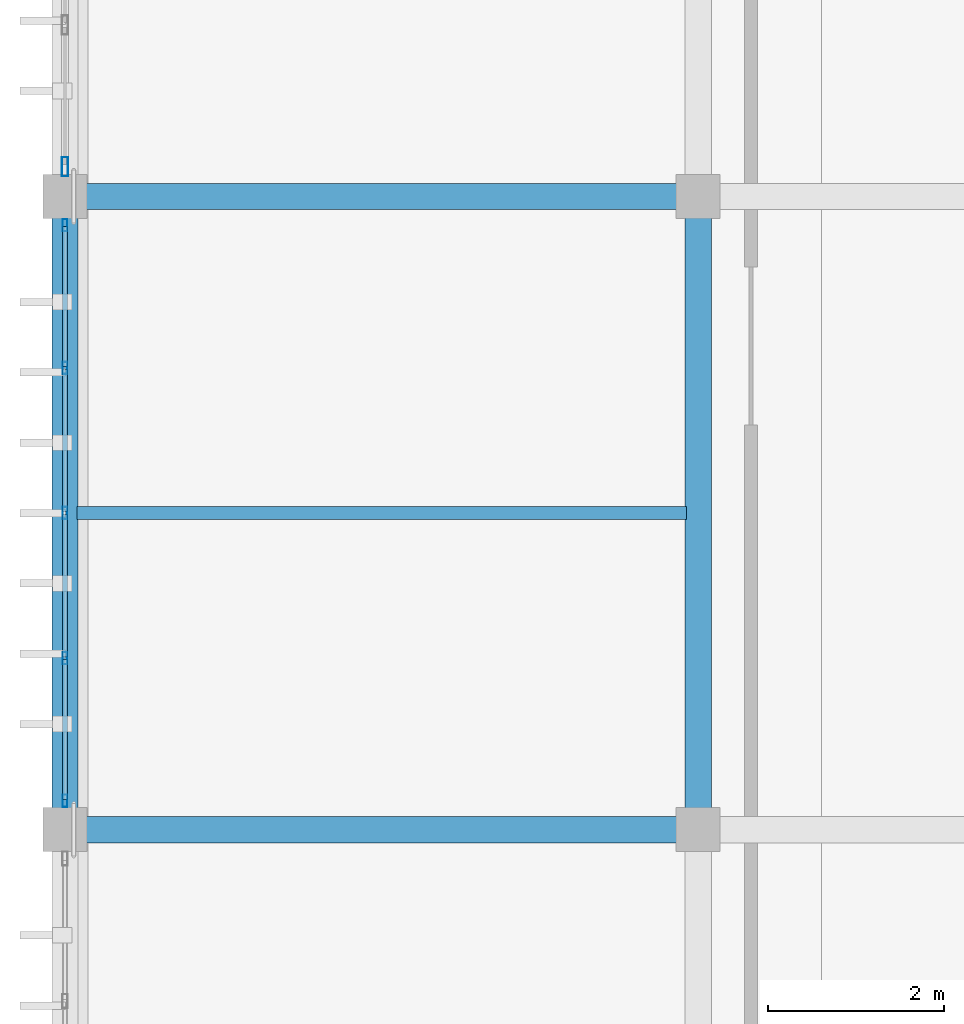
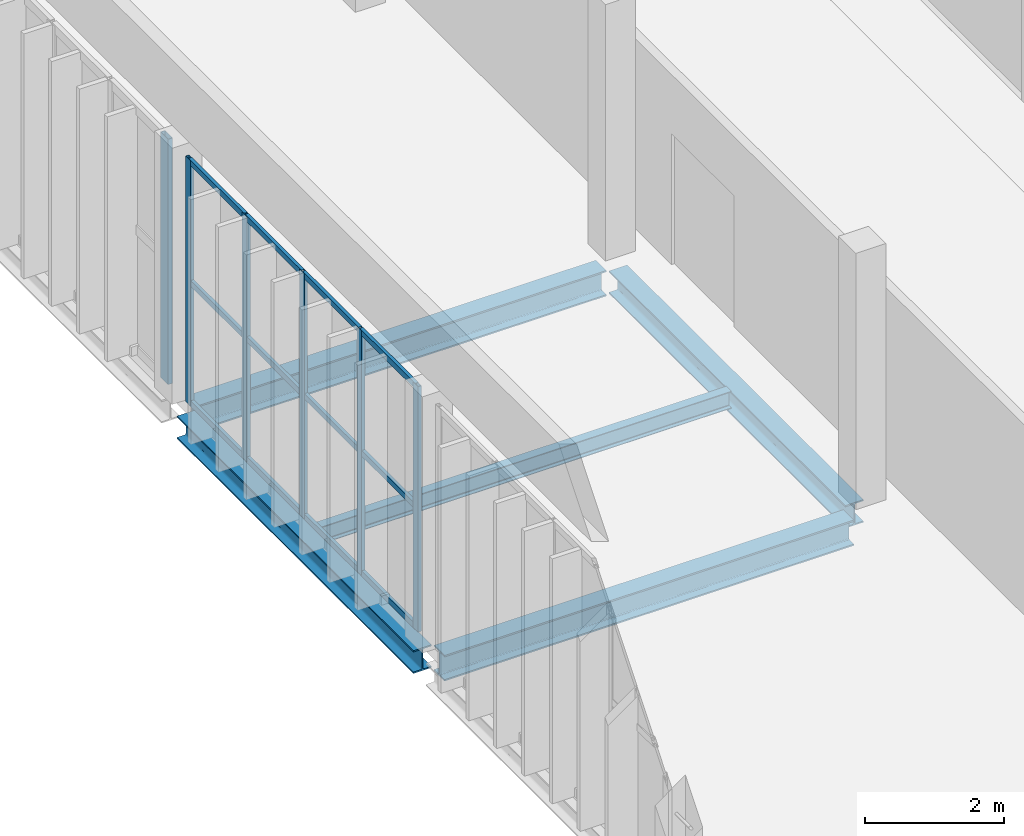
# One storey, part 19 of 64: 18 members, 5 beams, 2 elements without a shape of their own.
"""IFC4 building model written with IfcOpenShell, lengths in metres."""

from ifc_helpers import new_model, si_unit, direction, frame, origin, origin_2d, place, context, subcontext, project, spatial, hollow_rectangle, i_section, extrude, material, material_profile, profile_set, type_object, element, aggregate, save


model = new_model("IFC4")

# Units and contexts
model_context = context("Model", 3, precision=1e-05, world=origin(), true_north=direction((0.0, 1.0)))
body_context = subcontext(model_context, "Body", "Model", "MODEL_VIEW")
ifc_project = project(units=[si_unit("LENGTHUNIT", "METRE"), si_unit("AREAUNIT", "SQUARE_METRE"), si_unit("VOLUMEUNIT", "CUBIC_METRE"), si_unit("PLANEANGLEUNIT", "RADIAN"), si_unit("MASSUNIT", "GRAM", prefix="KILO")], contexts=[model_context])

# Site, building, storey
site_placement = place(None, origin())
site = spatial("IfcSite", under=ifc_project, at=site_placement, CompositionType="ELEMENT")
building_placement = place(site_placement, origin())
building = spatial("IfcBuilding", under=site, at=building_placement, Name="Qandorah Velis Arena", CompositionType="ELEMENT")
storey_placement = place(building_placement, frame((0.0, 0.0, 23.0)))
storey = spatial("IfcBuildingStorey", under=building, at=storey_placement, Name="L05", CompositionType="ELEMENT", Elevation=23.0)

# Curtain wall, members
ifc_material_1 = material(Name="Solar-control low-E double glazing", Category="glass")
curtain_wall_type_1 = type_object("IfcCurtainWallType", Name="ARC-CW-SYS24", PredefinedType="USERDEFINED", material=ifc_material_1)
curtain_wall_1_placement = place(storey_placement, origin())
curtain_wall_1 = element("IfcCurtainWall", 1, at=curtain_wall_1_placement, inside=storey, type_object=curtain_wall_type_1, Name="Unitised curtain wall L05-048", ObjectType="UNITISED CURTAIN WALL", PredefinedType="USERDEFINED")
ifc_material_2 = material(Name="Champagne-bronze anodized aluminium 6063-T6", Category="aluminium")
ifc_material_profile_1 = material_profile(ifc_material_2, hollow_rectangle(XDim=0.054931640625, YDim=0.139892578125, WallThickness=0.0029296875, at=origin_2d()), Name="ALU MULLION 55x140")
ifc_profile_set_1 = profile_set([ifc_material_profile_1], Name="Champagne-bronze anodized aluminium 6063-T6")
member_type_1 = type_object("IfcMemberType", Name="ARC-CWM-140", PredefinedType="MULLION", material=ifc_profile_set_1)
member_1_placement = place(storey_placement, frame((0.0, 72.327392578125, -0.014892578125), z_axis=(0.0, 0.0, 1.0), x_axis=(-1.0, 0.0, 0.0)))
member_1 = element("IfcMember", 2, at=member_1_placement, type_object=member_type_1, Name="CW24 mullion 1", PredefinedType="MULLION", context=body_context, shape_type="SweptSolid", body=[
    extrude(hollow_rectangle(XDim=0.054931640625, YDim=0.139892578125, WallThickness=0.0029296875, at=origin_2d()), origin(), (0.0, 0.0, 1.0), 4.309814453125),
])
member_2_placement = place(storey_placement, frame((0.0, 73.949951171875, -0.014892578125), z_axis=(0.0, 0.0, 1.0), x_axis=(-1.0, 0.0, 0.0)))
member_2 = element("IfcMember", 3, at=member_2_placement, type_object=member_type_1, Name="CW24 mullion 2", PredefinedType="MULLION", context=body_context, shape_type="SweptSolid", body=[
    extrude(hollow_rectangle(XDim=0.054931640625, YDim=0.139892578125, WallThickness=0.0029296875, at=origin_2d()), origin(), (0.0, 0.0, 1.0), 4.309814453125),
])
member_3_placement = place(storey_placement, frame((0.0, 75.60009765625, -0.014892578125), z_axis=(0.0, 0.0, 1.0), x_axis=(-1.0, 0.0, 0.0)))
member_3 = element("IfcMember", 4, at=member_3_placement, type_object=member_type_1, Name="CW24 mullion 3", PredefinedType="MULLION", context=body_context, shape_type="SweptSolid", body=[
    extrude(hollow_rectangle(XDim=0.054931640625, YDim=0.139892578125, WallThickness=0.0029296875, at=origin_2d()), origin(), (0.0, 0.0, 1.0), 4.309814453125),
])
member_4_placement = place(storey_placement, frame((0.0, 77.25, -0.014892578125), z_axis=(0.0, 0.0, 1.0), x_axis=(-1.0, 0.0, 0.0)))
member_4 = element("IfcMember", 5, at=member_4_placement, type_object=member_type_1, Name="CW24 mullion 4", PredefinedType="MULLION", context=body_context, shape_type="SweptSolid", body=[
    extrude(hollow_rectangle(XDim=0.054931640625, YDim=0.139892578125, WallThickness=0.0029296875, at=origin_2d()), origin(), (0.0, 0.0, 1.0), 4.309814453125),
])
member_5_placement = place(storey_placement, frame((0.0, 78.87255859375, -0.014892578125), z_axis=(0.0, 0.0, 1.0), x_axis=(-1.0, 0.0, 0.0)))
member_5 = element("IfcMember", 6, at=member_5_placement, type_object=member_type_1, Name="CW24 mullion 5", PredefinedType="MULLION", context=body_context, shape_type="SweptSolid", body=[
    extrude(hollow_rectangle(XDim=0.054931640625, YDim=0.139892578125, WallThickness=0.0029296875, at=origin_2d()), origin(), (0.0, 0.0, 1.0), 4.309814453125),
])

# Curtain wall, member
curtain_wall_type_2 = type_object("IfcCurtainWallType", Name="ARC-CW-SYS01", PredefinedType="USERDEFINED", material=ifc_material_1)
curtain_wall_2_placement = place(storey_placement, origin())
curtain_wall_2 = element("IfcCurtainWall", 7, at=curtain_wall_2_placement, inside=storey, type_object=curtain_wall_type_2, Name="Unitised curtain wall L05-049", ObjectType="UNITISED CURTAIN WALL", PredefinedType="USERDEFINED")
ifc_material_profile_2 = material_profile(ifc_material_2, hollow_rectangle(XDim=0.074951171875, YDim=0.219970703125, WallThickness=0.00390625, at=origin_2d()), Name="ALU MULLION 75x220")
ifc_profile_set_2 = profile_set([ifc_material_profile_2], Name="Champagne-bronze anodized aluminium 6063-T6")
member_type_2 = type_object("IfcMemberType", Name="ARC-CWM-220", PredefinedType="MULLION", material=ifc_profile_set_2)
member_6_placement = place(storey_placement, frame((0.0, 79.53759765625, -0.014892578125), z_axis=(0.0, 0.0, 1.0), x_axis=(-1.0, 0.0, 0.0)))
member_6 = element("IfcMember", 8, at=member_6_placement, type_object=member_type_2, Name="CW01 mullion 1", PredefinedType="MULLION", context=body_context, shape_type="SweptSolid", body=[
    extrude(hollow_rectangle(XDim=0.074951171875, YDim=0.219970703125, WallThickness=0.00390625, at=origin_2d()), origin(), (0.0, 0.0, 1.0), 4.309814453125),
])
aggregate(curtain_wall_2, [member_6])

# Member
ifc_material_profile_3 = material_profile(ifc_material_2, hollow_rectangle(XDim=0.054931640625, YDim=0.10009765625, WallThickness=0.0029296875, at=origin_2d()), Name="ALU TRANSOM 55x100")
ifc_profile_set_3 = profile_set([ifc_material_profile_3], Name="Champagne-bronze anodized aluminium 6063-T6")
member_type_3 = type_object("IfcMemberType", Name="ARC-CWT-100", PredefinedType="USERDEFINED", material=ifc_profile_set_3)
member_7_placement = place(storey_placement, frame((0.0, 72.343017578125, 0.027587890625), z_axis=(0.0, 1.0, 0.0), x_axis=(-1.0, 0.0, 0.0)))
member_7 = element("IfcMember", 9, at=member_7_placement, type_object=member_type_3, Name="CW24 transom 1.1", ObjectType="TRANSOM", PredefinedType="USERDEFINED", context=body_context, shape_type="SweptSolid", body=[
    extrude(hollow_rectangle(XDim=0.054931640625, YDim=0.10009765625, WallThickness=0.0029296875, at=origin_2d()), origin(), (0.0, 0.0, 1.0), 1.591552734375),
])

member_8_placement = place(storey_placement, frame((0.0, 72.343017578125, 2.139892578125), z_axis=(0.0, 1.0, 0.0), x_axis=(-1.0, 0.0, 0.0)))
member_8 = element("IfcMember", 10, at=member_8_placement, type_object=member_type_3, Name="CW24 transom 1.2", ObjectType="TRANSOM", PredefinedType="USERDEFINED", context=body_context, shape_type="SweptSolid", body=[
    extrude(hollow_rectangle(XDim=0.054931640625, YDim=0.10009765625, WallThickness=0.0029296875, at=origin_2d()), origin(), (0.0, 0.0, 1.0), 1.591552734375),
])

member_9_placement = place(storey_placement, frame((0.0, 72.343017578125, 4.25244140625), z_axis=(0.0, 1.0, 0.0), x_axis=(-1.0, 0.0, 0.0)))
member_9 = element("IfcMember", 11, at=member_9_placement, type_object=member_type_3, Name="CW24 transom 1.3", ObjectType="TRANSOM", PredefinedType="USERDEFINED", context=body_context, shape_type="SweptSolid", body=[
    extrude(hollow_rectangle(XDim=0.054931640625, YDim=0.10009765625, WallThickness=0.0029296875, at=origin_2d()), origin(), (0.0, 0.0, 1.0), 1.591552734375),
])

member_10_placement = place(storey_placement, frame((0.0, 73.965576171875, 0.027587890625), z_axis=(0.0, 1.0, 0.0), x_axis=(-1.0, 0.0, 0.0)))
member_10 = element("IfcMember", 12, at=member_10_placement, type_object=member_type_3, Name="CW24 transom 2.1", ObjectType="TRANSOM", PredefinedType="USERDEFINED", context=body_context, shape_type="SweptSolid", body=[
    extrude(hollow_rectangle(XDim=0.054931640625, YDim=0.10009765625, WallThickness=0.0029296875, at=origin_2d()), origin(), (0.0, 0.0, 1.0), 1.618896484375),
])

member_11_placement = place(storey_placement, frame((0.0, 73.965576171875, 2.139892578125), z_axis=(0.0, 1.0, 0.0), x_axis=(-1.0, 0.0, 0.0)))
member_11 = element("IfcMember", 13, at=member_11_placement, type_object=member_type_3, Name="CW24 transom 2.2", ObjectType="TRANSOM", PredefinedType="USERDEFINED", context=body_context, shape_type="SweptSolid", body=[
    extrude(hollow_rectangle(XDim=0.054931640625, YDim=0.10009765625, WallThickness=0.0029296875, at=origin_2d()), origin(), (0.0, 0.0, 1.0), 1.618896484375),
])

member_12_placement = place(storey_placement, frame((0.0, 73.965576171875, 4.25244140625), z_axis=(0.0, 1.0, 0.0), x_axis=(-1.0, 0.0, 0.0)))
member_12 = element("IfcMember", 14, at=member_12_placement, type_object=member_type_3, Name="CW24 transom 2.3", ObjectType="TRANSOM", PredefinedType="USERDEFINED", context=body_context, shape_type="SweptSolid", body=[
    extrude(hollow_rectangle(XDim=0.054931640625, YDim=0.10009765625, WallThickness=0.0029296875, at=origin_2d()), origin(), (0.0, 0.0, 1.0), 1.618896484375),
])

member_13_placement = place(storey_placement, frame((0.0, 75.615478515625, 0.027587890625), z_axis=(0.0, 1.0, 0.0), x_axis=(-1.0, 0.0, 0.0)))
member_13 = element("IfcMember", 15, at=member_13_placement, type_object=member_type_3, Name="CW24 transom 3.1", ObjectType="TRANSOM", PredefinedType="USERDEFINED", context=body_context, shape_type="SweptSolid", body=[
    extrude(hollow_rectangle(XDim=0.054931640625, YDim=0.10009765625, WallThickness=0.0029296875, at=origin_2d()), origin(), (0.0, 0.0, 1.0), 1.619140625),
])

member_14_placement = place(storey_placement, frame((0.0, 75.615478515625, 2.139892578125), z_axis=(0.0, 1.0, 0.0), x_axis=(-1.0, 0.0, 0.0)))
member_14 = element("IfcMember", 16, at=member_14_placement, type_object=member_type_3, Name="CW24 transom 3.2", ObjectType="TRANSOM", PredefinedType="USERDEFINED", context=body_context, shape_type="SweptSolid", body=[
    extrude(hollow_rectangle(XDim=0.054931640625, YDim=0.10009765625, WallThickness=0.0029296875, at=origin_2d()), origin(), (0.0, 0.0, 1.0), 1.619140625),
])

member_15_placement = place(storey_placement, frame((0.0, 75.615478515625, 4.25244140625), z_axis=(0.0, 1.0, 0.0), x_axis=(-1.0, 0.0, 0.0)))
member_15 = element("IfcMember", 17, at=member_15_placement, type_object=member_type_3, Name="CW24 transom 3.3", ObjectType="TRANSOM", PredefinedType="USERDEFINED", context=body_context, shape_type="SweptSolid", body=[
    extrude(hollow_rectangle(XDim=0.054931640625, YDim=0.10009765625, WallThickness=0.0029296875, at=origin_2d()), origin(), (0.0, 0.0, 1.0), 1.619140625),
])

member_16_placement = place(storey_placement, frame((0.0, 77.265380859375, 0.027587890625), z_axis=(0.0, 1.0, 0.0), x_axis=(-1.0, 0.0, 0.0)))
member_16 = element("IfcMember", 18, at=member_16_placement, type_object=member_type_3, Name="CW24 transom 4.1", ObjectType="TRANSOM", PredefinedType="USERDEFINED", context=body_context, shape_type="SweptSolid", body=[
    extrude(hollow_rectangle(XDim=0.054931640625, YDim=0.10009765625, WallThickness=0.0029296875, at=origin_2d()), origin(), (0.0, 0.0, 1.0), 1.591552734375),
])

member_17_placement = place(storey_placement, frame((0.0, 77.265380859375, 2.139892578125), z_axis=(0.0, 1.0, 0.0), x_axis=(-1.0, 0.0, 0.0)))
member_17 = element("IfcMember", 19, at=member_17_placement, type_object=member_type_3, Name="CW24 transom 4.2", ObjectType="TRANSOM", PredefinedType="USERDEFINED", context=body_context, shape_type="SweptSolid", body=[
    extrude(hollow_rectangle(XDim=0.054931640625, YDim=0.10009765625, WallThickness=0.0029296875, at=origin_2d()), origin(), (0.0, 0.0, 1.0), 1.591552734375),
])

member_18_placement = place(storey_placement, frame((0.0, 77.265380859375, 4.25244140625), z_axis=(0.0, 1.0, 0.0), x_axis=(-1.0, 0.0, 0.0)))
member_18 = element("IfcMember", 20, at=member_18_placement, type_object=member_type_3, Name="CW24 transom 4.3", ObjectType="TRANSOM", PredefinedType="USERDEFINED", context=body_context, shape_type="SweptSolid", body=[
    extrude(hollow_rectangle(XDim=0.054931640625, YDim=0.10009765625, WallThickness=0.0029296875, at=origin_2d()), origin(), (0.0, 0.0, 1.0), 1.591552734375),
])

aggregate(curtain_wall_1, [member_1, member_2, member_3, member_4, member_5, member_7, member_8, member_9, member_10, member_11, member_12, member_13, member_14, member_15, member_16, member_17, member_18])

# Beams
ifc_material_3 = material(Name="Steel S355", Category="steel")
ifc_material_profile_4 = material_profile(ifc_material_3, i_section(OverallWidth=0.300048828125, OverallDepth=0.39990234375, WebThickness=0.013427734375, FlangeThickness=0.02392578125, FilletRadius=0.027099609375, at=origin_2d()), Name="HEB 400")
ifc_profile_set_4 = profile_set([ifc_material_profile_4], Name="Steel S355")
beam_type_1 = type_object("IfcBeamType", Name="STR-BM-HEB400", PredefinedType="BEAM", material=ifc_profile_set_4)
beam_1_placement = place(storey_placement, frame((0.0, 72.178466796875, -0.449951171875), z_axis=(0.0, 1.0, 0.0), x_axis=(-1.0, 0.0, 0.0)))
element("IfcBeam", 21, at=beam_1_placement, inside=storey, type_object=beam_type_1, Name="Primary floor girder L05 Y-121", PredefinedType="BEAM", context=body_context, shape_type="SweptSolid", body=[
    extrude(i_section(OverallWidth=0.300048828125, OverallDepth=0.39990234375, WebThickness=0.013427734375, FlangeThickness=0.02392578125, FilletRadius=0.027099609375, at=origin_2d()), origin(), (0.0, 0.0, 1.0), 6.796630859375),
])
beam_2_placement = place(storey_placement, frame((7.199951171875, 72.22509765625, -0.449951171875), z_axis=(0.0, 1.0, 0.0), x_axis=(-1.0, 0.0, 0.0)))
element("IfcBeam", 22, at=beam_2_placement, inside=storey, type_object=beam_type_1, Name="Primary floor girder L05 Y-133", PredefinedType="BEAM", context=body_context, shape_type="SweptSolid", body=[
    extrude(i_section(OverallWidth=0.300048828125, OverallDepth=0.39990234375, WebThickness=0.013427734375, FlangeThickness=0.02392578125, FilletRadius=0.027099609375, at=origin_2d()), origin(), (0.0, 0.0, 1.0), 6.79638671875),
])
ifc_material_profile_5 = material_profile(ifc_material_3, i_section(OverallWidth=0.300048828125, OverallDepth=0.449951171875, WebThickness=0.013916015625, FlangeThickness=0.02587890625, FilletRadius=0.027099609375, at=origin_2d()), Name="HEB 450")
ifc_profile_set_5 = profile_set([ifc_material_profile_5], Name="Steel S355")
beam_type_2 = type_object("IfcBeamType", Name="STR-BM-HEB450", PredefinedType="BEAM", material=ifc_profile_set_5)
beam_3_placement = place(storey_placement, frame((0.178466796875, 72.0, -0.47509765625), z_axis=(1.0, 0.0, 0.0), x_axis=(0.0, 1.0, 0.0)))
element("IfcBeam", 23, at=beam_3_placement, inside=storey, type_object=beam_type_2, Name="Primary floor girder L05 X-059", PredefinedType="BEAM", context=body_context, shape_type="SweptSolid", body=[
    extrude(i_section(OverallWidth=0.300048828125, OverallDepth=0.449951171875, WebThickness=0.013916015625, FlangeThickness=0.02587890625, FilletRadius=0.027099609375, at=origin_2d()), origin(), (0.0, 0.0, 1.0), 6.796630859375),
])
beam_4_placement = place(storey_placement, frame((0.22509765625, 79.199951171875, -0.47509765625), z_axis=(1.0, 0.0, 0.0), x_axis=(0.0, 1.0, 0.0)))
element("IfcBeam", 24, at=beam_4_placement, inside=storey, type_object=beam_type_2, Name="Primary floor girder L05 X-062", PredefinedType="BEAM", context=body_context, shape_type="SweptSolid", body=[
    extrude(i_section(OverallWidth=0.300048828125, OverallDepth=0.449951171875, WebThickness=0.013916015625, FlangeThickness=0.02587890625, FilletRadius=0.027099609375, at=origin_2d()), origin(), (0.0, 0.0, 1.0), 6.79638671875),
])
ifc_material_profile_6 = material_profile(ifc_material_3, i_section(OverallWidth=0.14990234375, OverallDepth=0.300048828125, WebThickness=0.007080078125, FlangeThickness=0.0107421875, FilletRadius=0.014892578125, at=origin_2d()), Name="IPE 300")
ifc_profile_set_6 = profile_set([ifc_material_profile_6], Name="Steel S355")
beam_type_3 = type_object("IfcBeamType", Name="STR-JST-IPE300", PredefinedType="JOIST", material=ifc_profile_set_6)
beam_5_placement = place(storey_placement, frame((0.135009765625, 75.60009765625, -0.39990234375), z_axis=(1.0, 0.0, 0.0), x_axis=(0.0, 1.0, 0.0)))
element("IfcBeam", 25, at=beam_5_placement, inside=storey, type_object=beam_type_3, Name="Secondary floor joist L05-006", PredefinedType="JOIST", context=body_context, shape_type="SweptSolid", body=[
    extrude(i_section(OverallWidth=0.14990234375, OverallDepth=0.300048828125, WebThickness=0.007080078125, FlangeThickness=0.0107421875, FilletRadius=0.014892578125, at=origin_2d()), origin(), (0.0, 0.0, 1.0), 6.929931640625),
])

save(model, "model.ifc")
